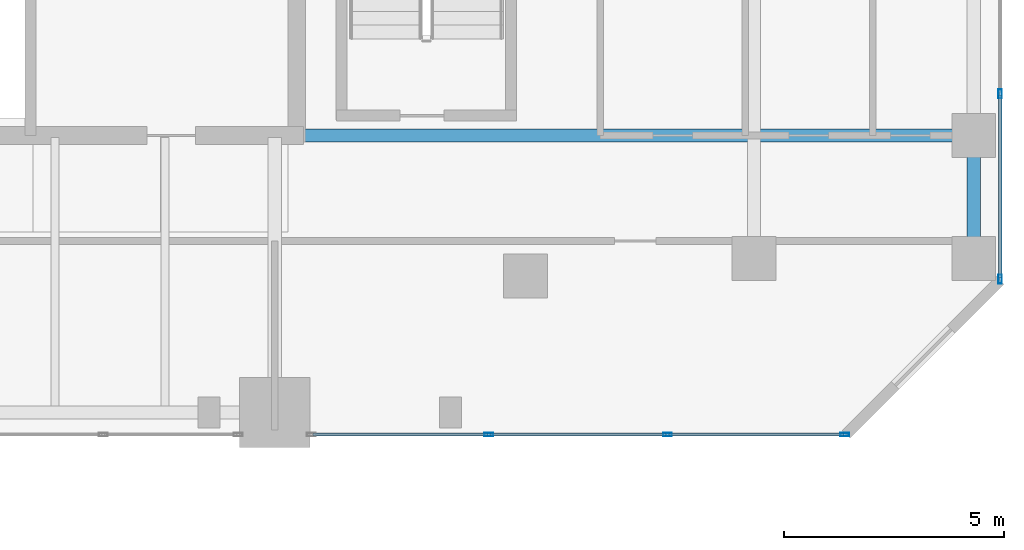
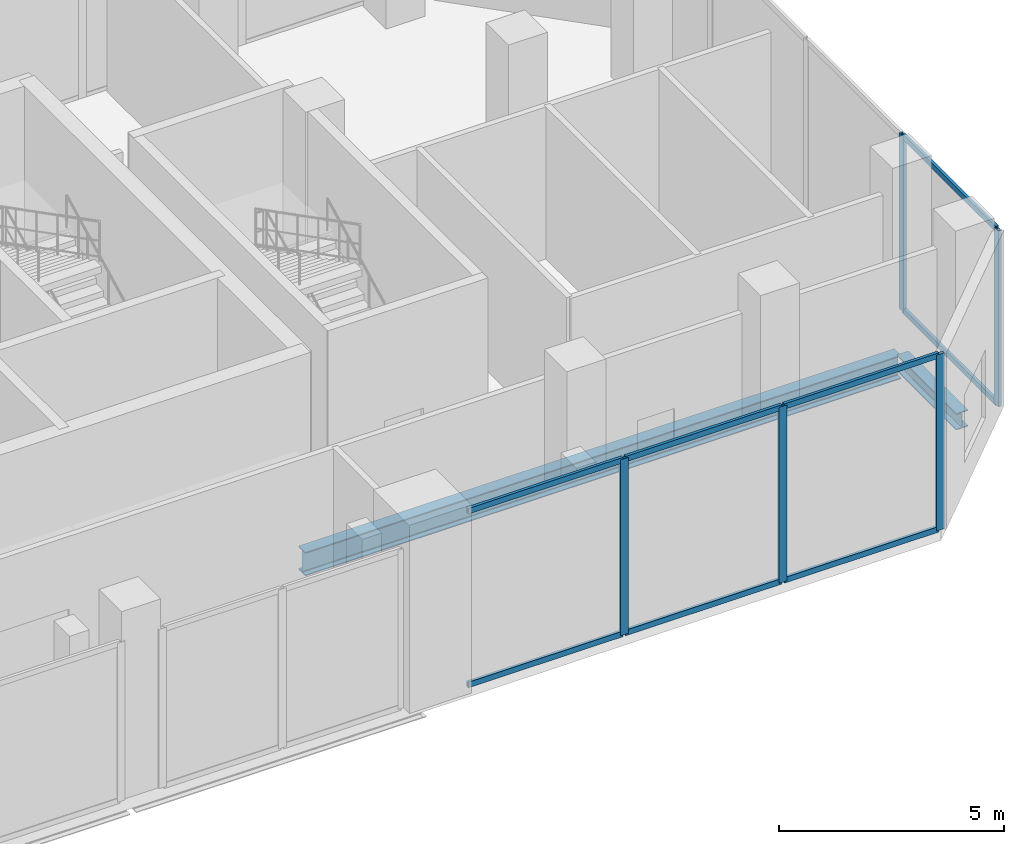
# One storey, part 11 of 24: 13 members, 2 beams, 2 elements without a shape of their own.
"""IFC4 building model written with IfcOpenShell, lengths in metres."""

from ifc_helpers import new_model, si_unit, direction, frame, origin, origin_2d, place, context, subcontext, project, spatial, hollow_rectangle, i_section, extrude, material, layer, layer_set, material_profile, profile_set, type_object, element, aggregate, save


model = new_model("IFC4")

# Units and contexts
model_context = context("Model", 3, precision=1e-05, world=origin(), true_north=direction((0.0, 1.0)))
body_context = subcontext(model_context, "Body", "Model", "MODEL_VIEW")
ifc_project = project(units=[si_unit("LENGTHUNIT", "METRE"), si_unit("AREAUNIT", "SQUARE_METRE"), si_unit("VOLUMEUNIT", "CUBIC_METRE"), si_unit("PLANEANGLEUNIT", "RADIAN"), si_unit("MASSUNIT", "GRAM", prefix="KILO")], contexts=[model_context])

# Site, building, storey
site_placement = place(None, origin())
site = spatial("IfcSite", under=ifc_project, at=site_placement, CompositionType="ELEMENT")
building_placement = place(site_placement, origin())
building = spatial("IfcBuilding", under=site, at=building_placement, Name="Catumbela Crestline Tower", CompositionType="ELEMENT")
storey_placement = place(building_placement, frame((0.0, 0.0, 6.0)))
storey = spatial("IfcBuildingStorey", under=building, at=storey_placement, Name="L01", CompositionType="ELEMENT", Elevation=6.0)

# Beam
ifc_material_1 = material(Name="Structural steel S355J2", Category="steel")
ifc_material_profile_1 = material_profile(ifc_material_1, i_section(OverallWidth=0.3, OverallDepth=0.64, WebThickness=0.0135, FlangeThickness=0.026, FilletRadius=0.027, at=origin_2d()), Name="HEA 650")
ifc_profile_set_1 = profile_set([ifc_material_profile_1], Name="Structural steel S355J2")
beam_type_1 = type_object("IfcBeamType", Name="BG-HEA650", PredefinedType="BEAM", material=ifc_profile_set_1)
beam_1_placement = place(storey_placement, frame((40.05, 30.8, -0.64), z_axis=(1.0, 0.0, 0.0), x_axis=(0.0, 1.0, 0.0)))
element("IfcBeam", 1, at=beam_1_placement, inside=storey, type_object=beam_type_1, Name="L01 Beam BM-L01-M10", PredefinedType="BEAM", context=body_context, shape_type="SweptSolid", body=[
    extrude(i_section(OverallWidth=0.3, OverallDepth=0.64, WebThickness=0.0135, FlangeThickness=0.026, FilletRadius=0.027, at=origin_2d()), origin(), (0.0, 0.0, 1.0), 15.27),
])

# Curtain wall, members
ifc_material_2 = material(Name="Aluminium alloy AW-6060-T66", Category="aluminium")
ifc_layer = layer(ifc_material_2, 0.18, Name="Aluminium alloy AW-6060-T66")
ifc_layer_set = layer_set([ifc_layer], Name="Aluminium alloy AW-6060-T66")
curtain_wall_type = type_object("IfcCurtainWallType", Name="CWS-POD", PredefinedType="USERDEFINED", material=ifc_layer_set)
curtain_wall_1_placement = place(storey_placement, origin())
curtain_wall_1 = element("IfcCurtainWall", 2, at=curtain_wall_1_placement, inside=storey, type_object=curtain_wall_type, Name="L01 Stick Curtain Wall CW-L01-E3S3", ObjectType="STICK", PredefinedType="USERDEFINED")
ifc_material_profile_2 = material_profile(ifc_material_2, hollow_rectangle(XDim=0.075, YDim=0.2, WallThickness=0.005, at=origin_2d()), Name="ALU 200x75x5")
ifc_profile_set_2 = profile_set([ifc_material_profile_2], Name="Aluminium alloy AW-6060-T66")
member_type_1 = type_object("IfcMemberType", Name="MUL-200X75", PredefinedType="MULLION", material=ifc_profile_set_2)
member_1_placement = place(storey_placement, frame((44.3667, 24.0, 0.0), z_axis=(0.0, 0.0, 1.0), x_axis=(0.0, 1.0, 0.0)))
member_1 = element("IfcMember", 3, at=member_1_placement, type_object=member_type_1, Name="CWS-POD mullion 2", PredefinedType="MULLION", context=body_context, shape_type="SweptSolid", body=[
    extrude(hollow_rectangle(XDim=0.075, YDim=0.2, WallThickness=0.005, at=origin_2d()), origin(), (0.0, 0.0, 1.0), 4.77),
])
member_2_placement = place(storey_placement, frame((48.4333, 24.0, 0.0), z_axis=(0.0, 0.0, 1.0), x_axis=(0.0, 1.0, 0.0)))
member_2 = element("IfcMember", 4, at=member_2_placement, type_object=member_type_1, Name="CWS-POD mullion 3", PredefinedType="MULLION", context=body_context, shape_type="SweptSolid", body=[
    extrude(hollow_rectangle(XDim=0.075, YDim=0.2, WallThickness=0.005, at=origin_2d()), origin(), (0.0, 0.0, 1.0), 4.77),
])
member_3_placement = place(storey_placement, frame((52.4675, 24.0, 0.0), z_axis=(0.0, 0.0, 1.0), x_axis=(0.0, 1.0, 0.0)))
member_3 = element("IfcMember", 5, at=member_3_placement, type_object=member_type_1, Name="CWS-POD mullion 4", PredefinedType="MULLION", context=body_context, shape_type="SweptSolid", body=[
    extrude(hollow_rectangle(XDim=0.075, YDim=0.2, WallThickness=0.005, at=origin_2d()), origin(), (0.0, 0.0, 1.0), 4.77),
])

curtain_wall_2_placement = place(storey_placement, origin())
curtain_wall_2 = element("IfcCurtainWall", 6, at=curtain_wall_2_placement, inside=storey, type_object=curtain_wall_type, Name="L01 Stick Curtain Wall CW-L01-E5S1", ObjectType="STICK", PredefinedType="USERDEFINED")
member_4_placement = place(storey_placement, frame((56.0, 27.5325, 0.0), z_axis=(0.0, 0.0, 1.0), x_axis=(-1.0, 0.0, 0.0)))
member_4 = element("IfcMember", 7, at=member_4_placement, type_object=member_type_1, Name="CWS-POD mullion 1", PredefinedType="MULLION", context=body_context, shape_type="SweptSolid", body=[
    extrude(hollow_rectangle(XDim=0.075, YDim=0.2, WallThickness=0.005, at=origin_2d()), origin(), (0.0, 0.0, 1.0), 4.77),
])
member_5_placement = place(storey_placement, frame((56.0, 31.75, 0.0), z_axis=(0.0, 0.0, 1.0), x_axis=(-1.0, 0.0, 0.0)))
member_5 = element("IfcMember", 8, at=member_5_placement, type_object=member_type_1, Name="CWS-POD mullion 2", PredefinedType="MULLION", context=body_context, shape_type="SweptSolid", body=[
    extrude(hollow_rectangle(XDim=0.075, YDim=0.2, WallThickness=0.005, at=origin_2d()), origin(), (0.0, 0.0, 1.0), 4.77),
])

# Beam
ifc_material_profile_3 = material_profile(ifc_material_1, i_section(OverallWidth=0.3, OverallDepth=0.45, WebThickness=0.014, FlangeThickness=0.026, FilletRadius=0.027, at=origin_2d()), Name="HEB 450")
ifc_profile_set_3 = profile_set([ifc_material_profile_3], Name="Structural steel S355J2")
beam_type_2 = type_object("IfcBeamType", Name="BS-HEB450", PredefinedType="SPANDREL", material=ifc_profile_set_3)
beam_2_placement = place(storey_placement, frame((55.4, 28.08, -0.545), z_axis=(0.0, 1.0, 0.0), x_axis=(-1.0, 0.0, 0.0)))
element("IfcBeam", 9, at=beam_2_placement, inside=storey, type_object=beam_type_2, Name="L01 Spandrel SP-L01-SN35", PredefinedType="SPANDREL", context=body_context, shape_type="SweptSolid", body=[
    extrude(i_section(OverallWidth=0.3, OverallDepth=0.45, WebThickness=0.014, FlangeThickness=0.026, FilletRadius=0.027, at=origin_2d()), origin(), (0.0, 0.0, 1.0), 2.64),
])

# Member
ifc_material_profile_4 = material_profile(ifc_material_2, hollow_rectangle(XDim=0.075, YDim=0.15, WallThickness=0.0045, at=origin_2d()), Name="ALU 150x75x4.5")
ifc_profile_set_4 = profile_set([ifc_material_profile_4], Name="Aluminium alloy AW-6060-T66")
member_type_2 = type_object("IfcMemberType", Name="TRN-150X75", PredefinedType="USERDEFINED", material=ifc_profile_set_4)
member_6_placement = place(storey_placement, frame((40.365, 24.0, 0.03), z_axis=(1.0, 0.0, 0.0), x_axis=(0.0, 1.0, 0.0)))
member_6 = element("IfcMember", 10, at=member_6_placement, type_object=member_type_2, Name="CWS-POD transom 1.1", ObjectType="TRANSOM", PredefinedType="USERDEFINED", context=body_context, shape_type="SweptSolid", body=[
    extrude(hollow_rectangle(XDim=0.075, YDim=0.15, WallThickness=0.0045, at=origin_2d()), origin(), (0.0, 0.0, 1.0), 3.9692),
])

member_7_placement = place(storey_placement, frame((40.365, 24.0, 4.74), z_axis=(1.0, 0.0, 0.0), x_axis=(0.0, 1.0, 0.0)))
member_7 = element("IfcMember", 11, at=member_7_placement, type_object=member_type_2, Name="CWS-POD transom 1.2", ObjectType="TRANSOM", PredefinedType="USERDEFINED", context=body_context, shape_type="SweptSolid", body=[
    extrude(hollow_rectangle(XDim=0.075, YDim=0.15, WallThickness=0.0045, at=origin_2d()), origin(), (0.0, 0.0, 1.0), 3.9692),
])

member_8_placement = place(storey_placement, frame((44.3992, 24.0, 0.03), z_axis=(1.0, 0.0, 0.0), x_axis=(0.0, 1.0, 0.0)))
member_8 = element("IfcMember", 12, at=member_8_placement, type_object=member_type_2, Name="CWS-POD transom 2.1", ObjectType="TRANSOM", PredefinedType="USERDEFINED", context=body_context, shape_type="SweptSolid", body=[
    extrude(hollow_rectangle(XDim=0.075, YDim=0.15, WallThickness=0.0045, at=origin_2d()), origin(), (0.0, 0.0, 1.0), 4.0016),
])

member_9_placement = place(storey_placement, frame((44.3992, 24.0, 4.74), z_axis=(1.0, 0.0, 0.0), x_axis=(0.0, 1.0, 0.0)))
member_9 = element("IfcMember", 13, at=member_9_placement, type_object=member_type_2, Name="CWS-POD transom 2.2", ObjectType="TRANSOM", PredefinedType="USERDEFINED", context=body_context, shape_type="SweptSolid", body=[
    extrude(hollow_rectangle(XDim=0.075, YDim=0.15, WallThickness=0.0045, at=origin_2d()), origin(), (0.0, 0.0, 1.0), 4.0016),
])

member_10_placement = place(storey_placement, frame((48.4658, 24.0, 0.03), z_axis=(1.0, 0.0, 0.0), x_axis=(0.0, 1.0, 0.0)))
member_10 = element("IfcMember", 14, at=member_10_placement, type_object=member_type_2, Name="CWS-POD transom 3.1", ObjectType="TRANSOM", PredefinedType="USERDEFINED", context=body_context, shape_type="SweptSolid", body=[
    extrude(hollow_rectangle(XDim=0.075, YDim=0.15, WallThickness=0.0045, at=origin_2d()), origin(), (0.0, 0.0, 1.0), 3.9692),
])

member_11_placement = place(storey_placement, frame((48.4658, 24.0, 4.74), z_axis=(1.0, 0.0, 0.0), x_axis=(0.0, 1.0, 0.0)))
member_11 = element("IfcMember", 15, at=member_11_placement, type_object=member_type_2, Name="CWS-POD transom 3.2", ObjectType="TRANSOM", PredefinedType="USERDEFINED", context=body_context, shape_type="SweptSolid", body=[
    extrude(hollow_rectangle(XDim=0.075, YDim=0.15, WallThickness=0.0045, at=origin_2d()), origin(), (0.0, 0.0, 1.0), 3.9692),
])

aggregate(curtain_wall_1, [member_1, member_2, member_3, member_6, member_7, member_8, member_9, member_10, member_11])

member_12_placement = place(storey_placement, frame((56.0, 27.565, 0.03), z_axis=(0.0, 1.0, 0.0), x_axis=(-1.0, 0.0, 0.0)))
member_12 = element("IfcMember", 16, at=member_12_placement, type_object=member_type_2, Name="CWS-POD transom 1.1", ObjectType="TRANSOM", PredefinedType="USERDEFINED", context=body_context, shape_type="SweptSolid", body=[
    extrude(hollow_rectangle(XDim=0.075, YDim=0.15, WallThickness=0.0045, at=origin_2d()), origin(), (0.0, 0.0, 1.0), 4.1525),
])

member_13_placement = place(storey_placement, frame((56.0, 27.565, 4.74), z_axis=(0.0, 1.0, 0.0), x_axis=(-1.0, 0.0, 0.0)))
member_13 = element("IfcMember", 17, at=member_13_placement, type_object=member_type_2, Name="CWS-POD transom 1.2", ObjectType="TRANSOM", PredefinedType="USERDEFINED", context=body_context, shape_type="SweptSolid", body=[
    extrude(hollow_rectangle(XDim=0.075, YDim=0.15, WallThickness=0.0045, at=origin_2d()), origin(), (0.0, 0.0, 1.0), 4.1525),
])

aggregate(curtain_wall_2, [member_4, member_5, member_12, member_13])

save(model, "model.ifc")
